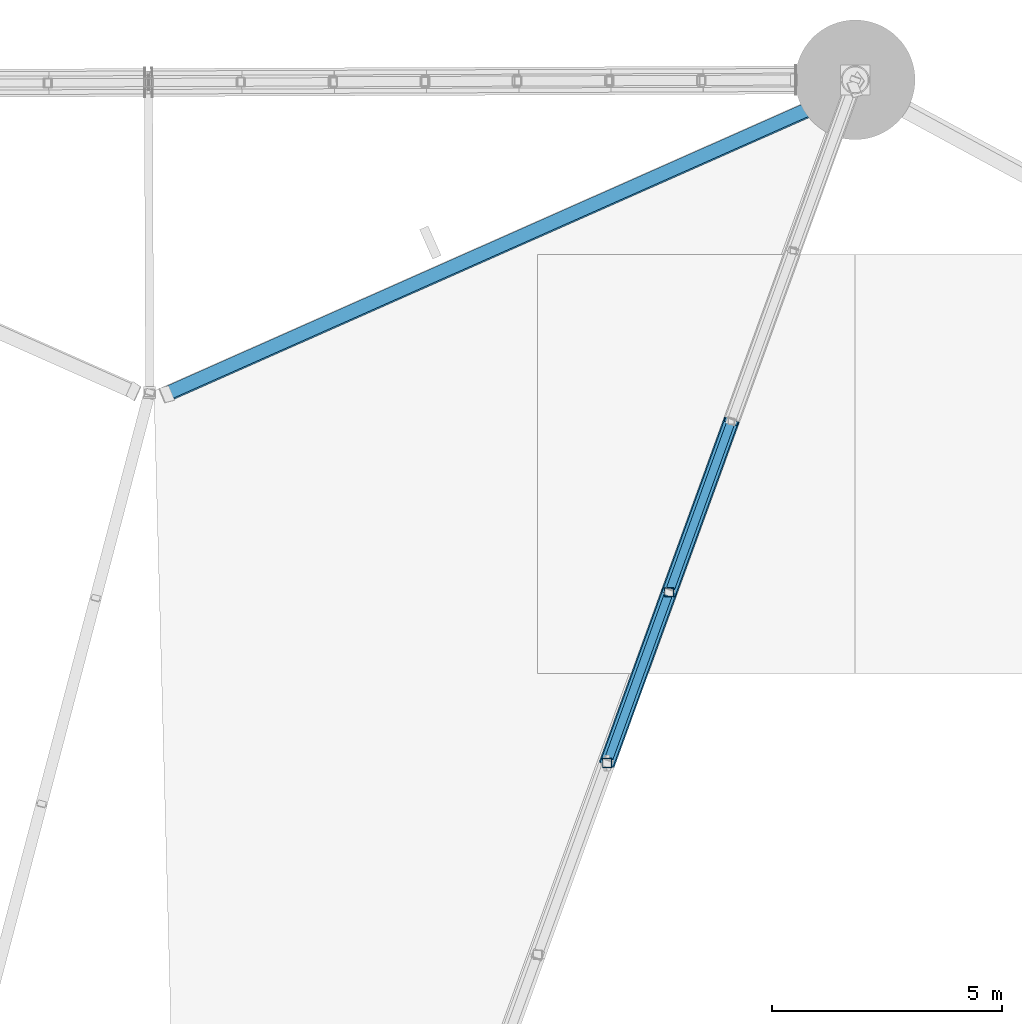
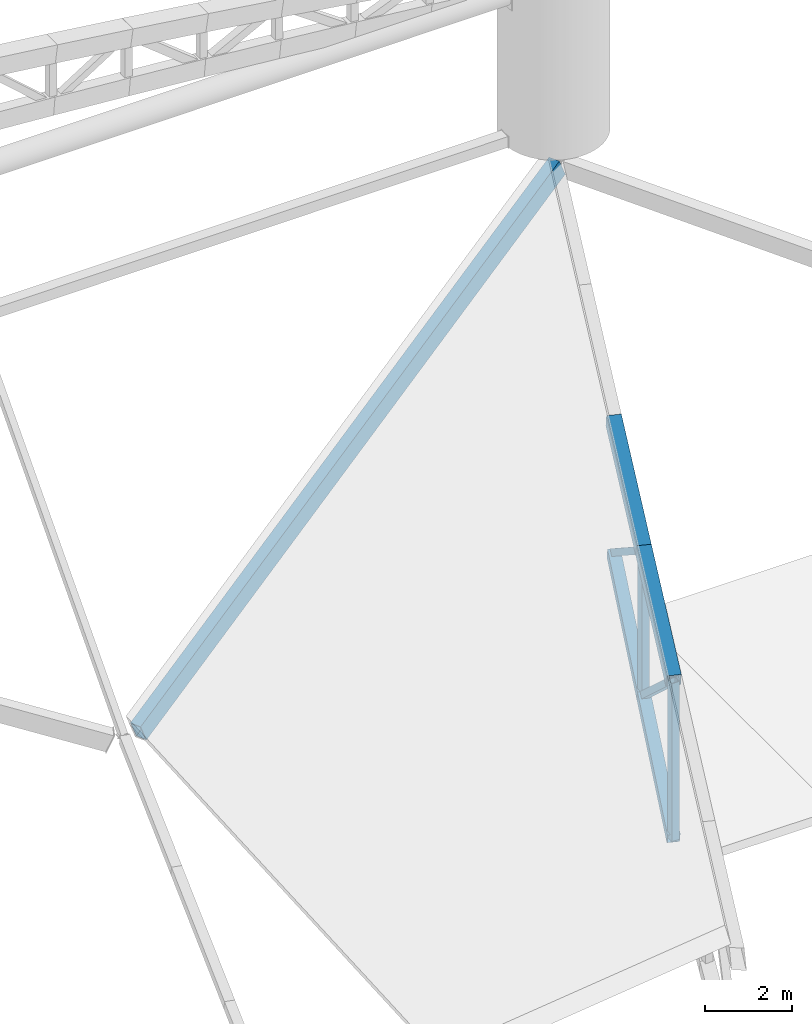
# One storey, part 106 of 188: 8 members, 1 beam.
"""IFC4 building model written with IfcOpenShell, lengths in metres."""

from ifc_helpers import new_model, si_unit, direction, frame, origin, origin_2d, place, context, subcontext, project, spatial, hollow_rectangle, extrude, material, material_profile, profile_set, type_object, element, save


model = new_model("IFC4")

# Units and contexts
model_context = context("Model", 3, precision=1e-05, world=origin(), true_north=direction((0.0, 1.0)))
body_context = subcontext(model_context, "Body", "Model", "MODEL_VIEW")
ifc_project = project(units=[si_unit("LENGTHUNIT", "METRE"), si_unit("AREAUNIT", "SQUARE_METRE"), si_unit("VOLUMEUNIT", "CUBIC_METRE"), si_unit("PLANEANGLEUNIT", "RADIAN"), si_unit("MASSUNIT", "GRAM", prefix="KILO")], contexts=[model_context])

# Site, building, storey
site_placement = place(None, origin())
site = spatial("IfcSite", under=ifc_project, at=site_placement, CompositionType="ELEMENT")
building_placement = place(site_placement, origin())
building = spatial("IfcBuilding", under=site, at=building_placement, Name="Meseta Stadium", CompositionType="ELEMENT")
storey_placement = place(building_placement, frame((0.0, 0.0, 30.0)))
storey = spatial("IfcBuildingStorey", under=building, at=storey_placement, Name="ROOF", CompositionType="ELEMENT", Elevation=30.0)

# Beam
ifc_material_1 = material(Name="Steel S355", Category="steel")
ifc_material_profile_1 = material_profile(ifc_material_1, hollow_rectangle(XDim=0.300048828125, YDim=0.5, WallThickness=0.01611328125, at=origin_2d()), Name="RHS 500x300x16")
ifc_profile_set_1 = profile_set([ifc_material_profile_1], Name="Steel S355")
beam_type = type_object("IfcBeamType", Name="RHS 500x300x16 rim ring beam", PredefinedType="BEAM", material=ifc_profile_set_1)
beam_placement = place(storey_placement, frame((38.308837890625, 105.18994140625, 10.37353515625), z_axis=(-0.847168147272, -0.375703427086, -0.375703427086), x_axis=(0.384506991065, -0.921512276461, 0.054493101894)))
element("IfcBeam", 1, at=beam_placement, inside=storey, type_object=beam_type, Name="RIM RING BEAM 17", PredefinedType="BEAM", context=body_context, shape_type="SweptSolid", body=[
    extrude(hollow_rectangle(XDim=0.300048828125, YDim=0.5, WallThickness=0.01611328125, at=origin_2d()), origin(), (0.0, 0.0, 1.0), 17.62451171875),
])

# Members
ifc_material_2 = material(Name="Steel S355", Category="steel")
ifc_material_profile_2 = material_profile(ifc_material_2, hollow_rectangle(XDim=0.179931640625, YDim=0.179931640625, WallThickness=0.00634765625, at=origin_2d()), Name="SHS 180x180x6.3")
ifc_profile_set_2 = profile_set([ifc_material_profile_2], Name="Steel S355")
member_type_1 = type_object("IfcMemberType", Name="SHS 180x180x6.3 diagonal", PredefinedType="BRACE", material=ifc_profile_set_2)
member_1_placement = place(storey_placement, frame((32.944091796875, 90.551025390625, 6.698974609375), z_axis=(0.266922507341, 0.735560646361, -0.622657940284), x_axis=(-0.940020637337, 0.341117577063, 0.0)))
element("IfcMember", 2, at=member_1_placement, inside=storey, type_object=member_type_1, Name="ROOF TRUSS RT-16 diagonal", PredefinedType="BRACE", context=body_context, shape_type="SweptSolid", body=[
    extrude(hollow_rectangle(XDim=0.179931640625, YDim=0.179931640625, WallThickness=0.00634765625, at=origin_2d()), origin(), (0.0, 0.0, 1.0), 5.047119140625),
])
member_2_placement = place(storey_placement, frame((34.291259765625, 94.263427734375, 7.62744140625), z_axis=(0.278808683035, 0.768125752048, -0.576410051356), x_axis=(-0.939993617299, 0.341192027219, 0.0)))
element("IfcMember", 3, at=member_2_placement, inside=storey, type_object=member_type_1, Name="ROOF TRUSS RT-16 diagonal", PredefinedType="BRACE", context=body_context, shape_type="SweptSolid", body=[
    extrude(hollow_rectangle(XDim=0.179931640625, YDim=0.179931640625, WallThickness=0.00634765625, at=origin_2d()), origin(), (0.0, 0.0, 1.0), 4.832763671875),
])
ifc_material_3 = material(Name="Steel S355", Category="steel")
ifc_material_profile_3 = material_profile(ifc_material_3, hollow_rectangle(XDim=0.199951171875, YDim=0.199951171875, WallThickness=0.008056640625, at=origin_2d()), Name="SHS 200x200x8")
ifc_profile_set_3 = profile_set([ifc_material_profile_3], Name="Steel S355")
member_type_2 = type_object("IfcMemberType", Name="SHS 200x200x8 post", PredefinedType="POST", material=ifc_profile_set_3)
member_3_placement = place(storey_placement, frame((32.944091796875, 90.551025390625, 2.27099609375), z_axis=(0.0, 0.0, 1.0), x_axis=(1.0, 0.0, 0.0)))
element("IfcMember", 4, at=member_3_placement, inside=storey, type_object=member_type_2, Name="ROOF TRUSS RT-16 post", PredefinedType="POST", context=body_context, shape_type="SweptSolid", body=[
    extrude(hollow_rectangle(XDim=0.199951171875, YDim=0.199951171875, WallThickness=0.008056640625, at=origin_2d()), origin(), (0.0, 0.0, 1.0), 4.427978515625),
])
member_4_placement = place(storey_placement, frame((34.291259765625, 94.263427734375, 3.556396484375), z_axis=(0.0, 0.0, 1.0), x_axis=(1.0, 0.0, 0.0)))
element("IfcMember", 5, at=member_4_placement, inside=storey, type_object=member_type_2, Name="ROOF TRUSS RT-16 post", PredefinedType="POST", context=body_context, shape_type="SweptSolid", body=[
    extrude(hollow_rectangle(XDim=0.199951171875, YDim=0.199951171875, WallThickness=0.008056640625, at=origin_2d()), origin(), (0.0, 0.0, 1.0), 4.071044921875),
])
ifc_material_4 = material(Name="Steel S355", Category="steel")
ifc_material_profile_4 = material_profile(ifc_material_4, hollow_rectangle(XDim=0.300048828125, YDim=0.300048828125, WallThickness=0.010009765625, at=origin_2d()), Name="SHS 300x300x10")
ifc_profile_set_4 = profile_set([ifc_material_profile_4], Name="Steel S355")
member_type_3 = type_object("IfcMemberType", Name="SHS 300x300x10 bottom chord", PredefinedType="CHORD", material=ifc_profile_set_4)
for number, where, z_axis, x_axis, name in (
    (6, (32.944091796875, 90.551025390625, 2.27099609375), (0.324368891859, 0.893866141646, 0.309496595802), (-0.940020637337, 0.341117577063, 0.0), "ROOF TRUSS RT-16 bottom chord"),
    (7, (34.291259765625, 94.263427734375, 3.556396484375), (0.324438535992, 0.893837278449, 0.309506956332), (-0.939993617299, 0.341192027219, 0.0), "ROOF TRUSS RT-16 bottom chord"),
):
    element("IfcMember", number, at=place(storey_placement, frame(where, z_axis=z_axis, x_axis=x_axis)), inside=storey, type_object=member_type_3, Name=name, PredefinedType="CHORD", context=body_context, shape_type="SweptSolid", body=[
        extrude(hollow_rectangle(XDim=0.300048828125, YDim=0.300048828125, WallThickness=0.010009765625, at=origin_2d()), origin(), (0.0, 0.0, 1.0), 4.153076171875),
    ])
ifc_material_5 = material(Name="Steel S355", Category="steel")
ifc_material_profile_5 = material_profile(ifc_material_5, hollow_rectangle(XDim=0.35009765625, YDim=0.35009765625, WallThickness=0.010009765625, at=origin_2d()), Name="SHS 350x350x10")
ifc_profile_set_5 = profile_set([ifc_material_profile_5], Name="Steel S355")
member_type_4 = type_object("IfcMemberType", Name="SHS 350x350x10 top chord", PredefinedType="CHORD", material=ifc_profile_set_5)
member_5_placement = place(storey_placement, frame((34.291259765625, 94.263427734375, 7.62744140625), z_axis=(0.332136058049, 0.915044167899, 0.228866357811), x_axis=(-0.939993617299, 0.341192027219, 0.0)))
element("IfcMember", 8, at=member_5_placement, inside=storey, type_object=member_type_4, Name="ROOF TRUSS RT-16 top chord", PredefinedType="CHORD", context=body_context, shape_type="SweptSolid", body=[
    extrude(hollow_rectangle(XDim=0.35009765625, YDim=0.35009765625, WallThickness=0.010009765625, at=origin_2d()), origin(), (0.0, 0.0, 1.0), 4.056884765625),
])
ifc_material_6 = material(Name="Steel S355", Category="steel")
ifc_material_profile_6 = material_profile(ifc_material_6, hollow_rectangle(XDim=0.35009765625, YDim=0.35009765625, WallThickness=0.01416015625, at=origin_2d()), Name="SHS 350x350x14.2")
ifc_profile_set_6 = profile_set([ifc_material_profile_6], Name="Steel S355")
member_type_5 = type_object("IfcMemberType", Name="SHS 350x350x14.2 top chord", PredefinedType="CHORD", material=ifc_profile_set_6)
member_6_placement = place(storey_placement, frame((32.944091796875, 90.551025390625, 6.698974609375), z_axis=(0.332064227863, 0.915072245177, 0.228858328844), x_axis=(-0.940020637337, 0.341117577063, 0.0)))
element("IfcMember", 9, at=member_6_placement, inside=storey, type_object=member_type_5, Name="ROOF TRUSS RT-16 top chord", PredefinedType="CHORD", context=body_context, shape_type="SweptSolid", body=[
    extrude(hollow_rectangle(XDim=0.35009765625, YDim=0.35009765625, WallThickness=0.01416015625, at=origin_2d()), origin(), (0.0, 0.0, 1.0), 4.056884765625),
])

save(model, "model.ifc")
